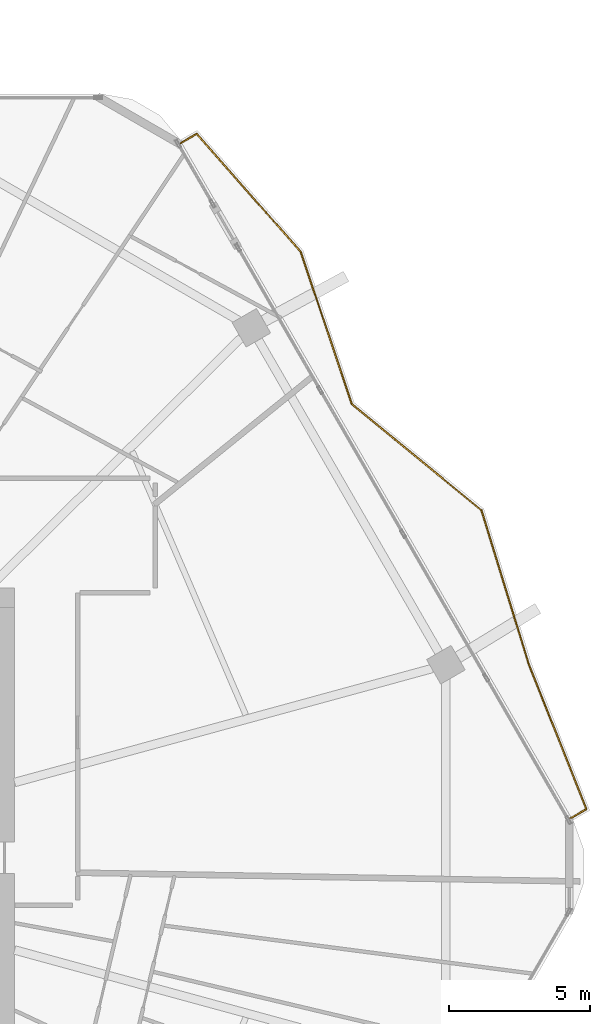
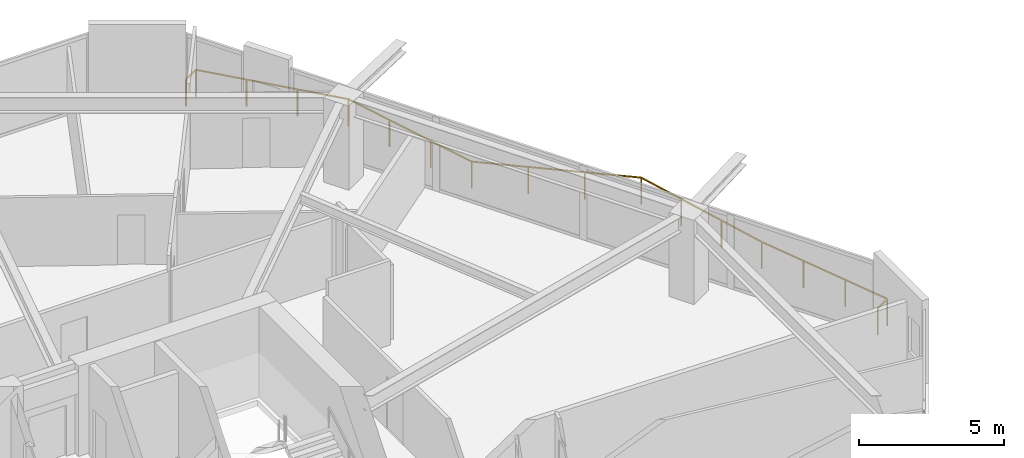
# One storey, part 25 of 25: 1 railing.
"""IFC4 building model written with IfcOpenShell, lengths in metres."""

from ifc_helpers import new_model, si_unit, direction, frame, origin, origin_2d, place, context, subcontext, project, spatial, rectangle, extrude, material, type_object, element, save


model = new_model("IFC4")

# Units and contexts
model_context = context("Model", 3, precision=1e-05, world=origin(), true_north=direction((0.0, 1.0)))
body_context = subcontext(model_context, "Body", "Model", "MODEL_VIEW")
ifc_project = project(units=[si_unit("LENGTHUNIT", "METRE"), si_unit("AREAUNIT", "SQUARE_METRE"), si_unit("VOLUMEUNIT", "CUBIC_METRE"), si_unit("PLANEANGLEUNIT", "RADIAN"), si_unit("MASSUNIT", "GRAM", prefix="KILO")], contexts=[model_context])

# Site, building, storey
site_placement = place(None, origin())
site = spatial("IfcSite", under=ifc_project, at=site_placement, CompositionType="ELEMENT")
building_placement = place(site_placement, origin())
building = spatial("IfcBuilding", under=site, at=building_placement, Name="Zuhravey Tower", CompositionType="ELEMENT")
storey_placement = place(building_placement, frame((0.0, 0.0, 180.800048828125)))
storey = spatial("IfcBuildingStorey", under=building, at=storey_placement, Name="L45", CompositionType="ELEMENT", Elevation=180.800048828125)

# Railing
ifc_material = material(Name="Stainless steel 316 and laminated glass", Category="steel")
railing_type = type_object("IfcRailingType", Name="Balcony & Terrace Guardrail 1150", PredefinedType="BALUSTRADE", material=ifc_material)
railing_placement = place(storey_placement, frame((52.719970703125, 57.576416015625, 0.0)))
element("IfcRailing", 1, at=railing_placement, inside=storey, type_object=railing_type, Name="L45 Face 1 Wave Balcony Guardrail GR1", PredefinedType="BALUSTRADE", context=body_context, shape_type="SweptSolid", body=[
    extrude(rectangle(XDim=0.048095703125, YDim=0.048095703125, at=origin_2d()), frame((0.001708984375, 0.0009765625, 1.1259765625), z_axis=(0.865950774653, 0.500129239174, 0.0), x_axis=(-0.500129239174, 0.865950774653, 0.0)), (0.0, 0.0, 1.0), 0.654052734375),
    extrude(rectangle(XDim=0.048095703125, YDim=0.048095703125, at=origin_2d()), frame((0.571044921875, 0.32763671875, 1.1259765625), z_axis=(0.661768139209, -0.749708563328, 0.0), x_axis=(0.749708563328, 0.661768139209, 0.0)), (0.0, 0.0, 1.0), 5.562255859375),
    extrude(rectangle(XDim=0.048095703125, YDim=0.048095703125, at=origin_2d()), frame((4.254150390625, -3.845947265625, 1.1259765625), z_axis=(0.318033222645, -0.948079569073, 0.0), x_axis=(0.948079569073, 0.318033222645, 0.0)), (0.0, 0.0, 1.0), 5.673583984375),
    extrude(rectangle(XDim=0.048095703125, YDim=0.048095703125, at=origin_2d()), frame((6.060546875, -9.22802734375, 1.1259765625), z_axis=(0.773067681226, -0.634323545396, 0.0), x_axis=(0.634323545396, 0.773067681226, 0.0)), (0.0, 0.0, 1.0), 5.931396484375),
    extrude(rectangle(XDim=0.048095703125, YDim=0.048095703125, at=origin_2d()), frame((10.64794921875, -12.99365234375, 1.1259765625), z_axis=(0.293795570332, -0.955868276936, 0.0), x_axis=(0.955868276936, 0.293795570332, 0.0)), (0.0, 0.0, 1.0), 5.669921875),
    extrude(rectangle(XDim=0.048095703125, YDim=0.048095703125, at=origin_2d()), frame((12.315185546875, -18.417236328125, 1.1259765625), z_axis=(0.368955037235, -0.929447244602, 0.0), x_axis=(0.929447244602, 0.368955037235, 0.0)), (0.0, 0.0, 1.0), 5.529296875),
    extrude(rectangle(XDim=0.048095703125, YDim=0.048095703125, at=origin_2d()), frame((14.354248046875, -23.55908203125, 1.1259765625), z_axis=(-0.866073599808, -0.499916512745, 0.0), x_axis=(0.499916512745, -0.866073599808, 0.0)), (0.0, 0.0, 1.0), 0.6494140625),
    extrude(rectangle(XDim=0.0419921875, YDim=0.0419921875, at=origin_2d()), origin(), (0.0, 0.0, 1.0), 1.099853515625),
    extrude(rectangle(XDim=0.0419921875, YDim=0.0419921875, at=origin_2d()), frame((0.56982421875, 0.3291015625, 0.0)), (0.0, 0.0, 1.0), 1.099853515625),
    extrude(rectangle(XDim=0.0419921875, YDim=0.0419921875, at=origin_2d()), frame((1.797607421875, -1.06201171875, 0.0)), (0.0, 0.0, 1.0), 1.099853515625),
    extrude(rectangle(XDim=0.0419921875, YDim=0.0419921875, at=origin_2d()), frame((3.025634765625, -2.452880859375, 0.0)), (0.0, 0.0, 1.0), 1.099853515625),
    extrude(rectangle(XDim=0.0419921875, YDim=0.0419921875, at=origin_2d()), frame((4.25341796875, -3.843994140625, 0.0)), (0.0, 0.0, 1.0), 1.099853515625),
    extrude(rectangle(XDim=0.0419921875, YDim=0.0419921875, at=origin_2d()), frame((4.855224609375, -5.63818359375, 0.0)), (0.0, 0.0, 1.0), 1.099853515625),
    extrude(rectangle(XDim=0.0419921875, YDim=0.0419921875, at=origin_2d()), frame((5.457275390625, -7.4326171875, 0.0)), (0.0, 0.0, 1.0), 1.099853515625),
    extrude(rectangle(XDim=0.0419921875, YDim=0.0419921875, at=origin_2d()), frame((6.05908203125, -9.226806640625, 0.0)), (0.0, 0.0, 1.0), 1.099853515625),
    extrude(rectangle(XDim=0.0419921875, YDim=0.0419921875, at=origin_2d()), frame((7.588623046875, -10.481689453125, 0.0)), (0.0, 0.0, 1.0), 1.099853515625),
    extrude(rectangle(XDim=0.0419921875, YDim=0.0419921875, at=origin_2d()), frame((9.117919921875, -11.73681640625, 0.0)), (0.0, 0.0, 1.0), 1.099853515625),
    extrude(rectangle(XDim=0.0419921875, YDim=0.0419921875, at=origin_2d()), frame((10.6474609375, -12.99169921875, 0.0)), (0.0, 0.0, 1.0), 1.099853515625),
    extrude(rectangle(XDim=0.0419921875, YDim=0.0419921875, at=origin_2d()), frame((11.203125, -14.799560546875, 0.0)), (0.0, 0.0, 1.0), 1.099853515625),
    extrude(rectangle(XDim=0.0419921875, YDim=0.0419921875, at=origin_2d()), frame((11.7587890625, -16.607421875, 0.0)), (0.0, 0.0, 1.0), 1.099853515625),
    extrude(rectangle(XDim=0.0419921875, YDim=0.0419921875, at=origin_2d()), frame((12.314453125, -18.415283203125, 0.0)), (0.0, 0.0, 1.0), 1.099853515625),
    extrude(rectangle(XDim=0.0419921875, YDim=0.0419921875, at=origin_2d()), frame((12.994873046875, -20.129638671875, 0.0)), (0.0, 0.0, 1.0), 1.099853515625),
    extrude(rectangle(XDim=0.0419921875, YDim=0.0419921875, at=origin_2d()), frame((13.675537109375, -21.84375, 0.0)), (0.0, 0.0, 1.0), 1.099853515625),
    extrude(rectangle(XDim=0.0419921875, YDim=0.0419921875, at=origin_2d()), frame((14.35595703125, -23.55810546875, 0.0)), (0.0, 0.0, 1.0), 1.099853515625),
    extrude(rectangle(XDim=0.0419921875, YDim=0.0419921875, at=origin_2d()), frame((13.7900390625, -23.884765625, 0.0)), (0.0, 0.0, 1.0), 1.099853515625),
])

save(model, "model.ifc")
